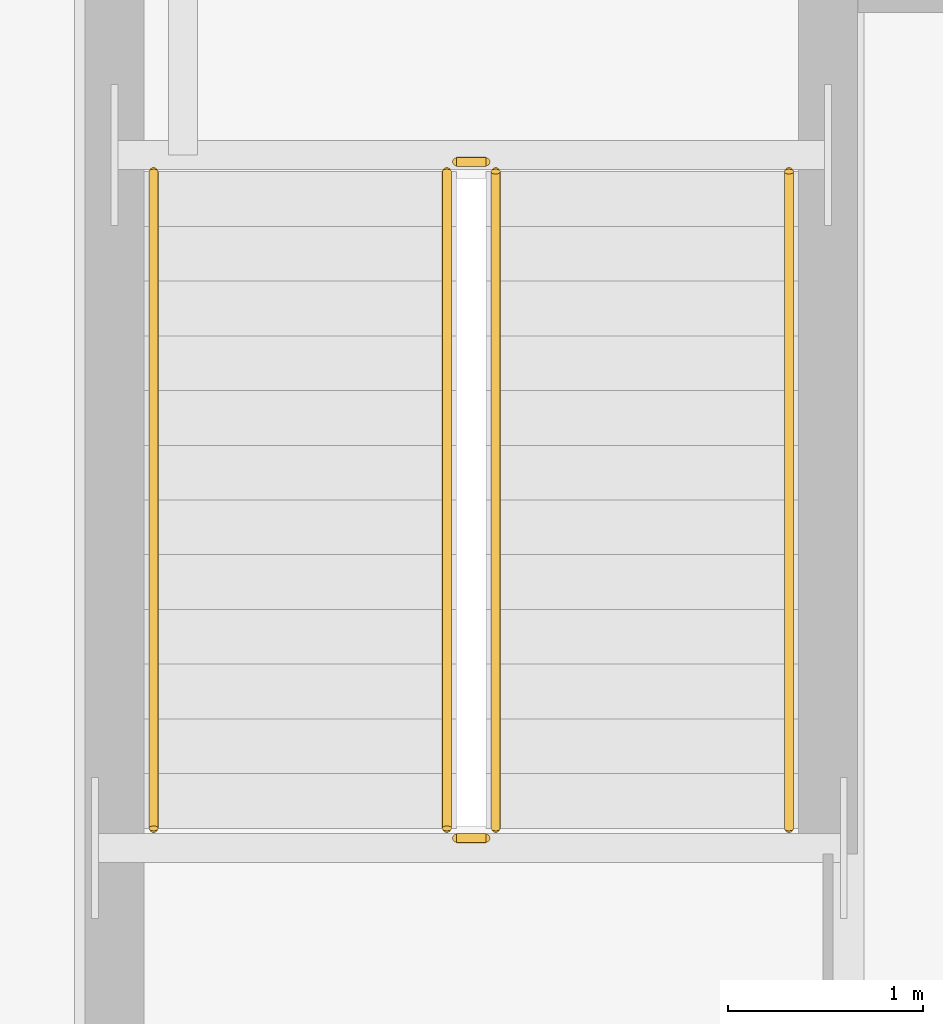
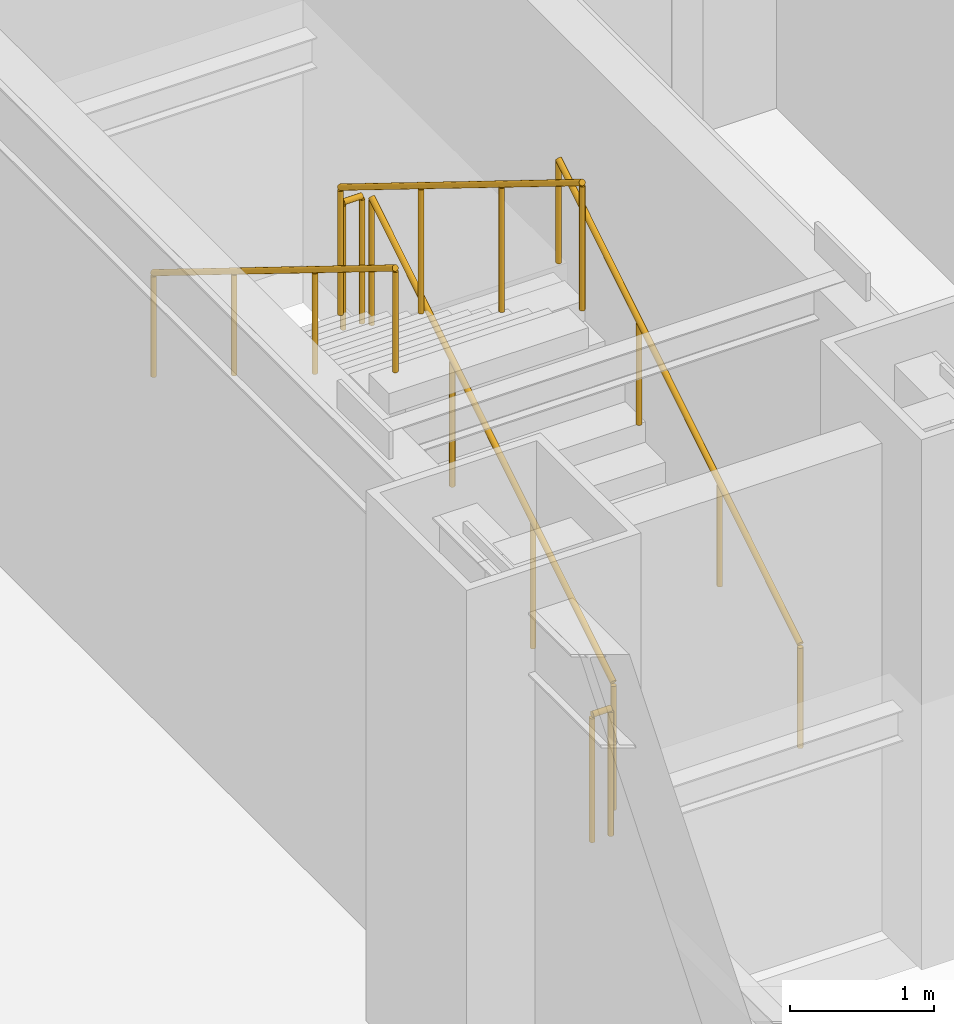
# One storey, part 14 of 14: 6 railings.
"""IFC4 building model written with IfcOpenShell, lengths in metres."""

from ifc_helpers import new_model, si_unit, direction, frame, origin, origin_2d, place, context, subcontext, project, spatial, circle, extrude, material, type_object, element, save


model = new_model("IFC4")

# Units and contexts
model_context = context("Model", 3, precision=1e-05, world=origin(), true_north=direction((0.0, 1.0)))
body_context = subcontext(model_context, "Body", "Model", "MODEL_VIEW")
ifc_project = project(units=[si_unit("LENGTHUNIT", "METRE"), si_unit("AREAUNIT", "SQUARE_METRE"), si_unit("VOLUMEUNIT", "CUBIC_METRE"), si_unit("PLANEANGLEUNIT", "RADIAN"), si_unit("MASSUNIT", "GRAM", prefix="KILO")], contexts=[model_context])

# Site, building, storey
site_placement = place(None, origin())
site = spatial("IfcSite", under=ifc_project, at=site_placement, CompositionType="ELEMENT")
building_placement = place(site_placement, origin())
building = spatial("IfcBuilding", under=site, at=building_placement, Name="Khamvora Tower", CompositionType="ELEMENT")
storey_placement = place(building_placement, frame((0.0, 0.0, -4.5)))
storey = spatial("IfcBuildingStorey", under=building, at=storey_placement, Name="B1", CompositionType="ELEMENT", Elevation=-4.5)

# Railings
ifc_material_1 = material(Name="Brushed Stainless Steel 316", Category="steel")
railing_type_1 = type_object("IfcRailingType", Name="RAL-HDR-920", PredefinedType="HANDRAIL", material=ifc_material_1)
railing_1_placement = place(storey_placement, frame((32.449951171875, 29.85009765625, 0.173095703125)))
element("IfcRailing", 1, at=railing_1_placement, inside=storey, type_object=railing_type_1, Name="B1 ST-02 stair handrail 1", PredefinedType="HANDRAIL", context=body_context, shape_type="SweptSolid", body=[
    extrude(circle(Radius=0.02392578125, at=origin_2d()), frame((0.0, 0.0, 0.8759765625), z_axis=(0.0, 0.850606129759, 0.525803396734), x_axis=(-1.0, 0.0, 0.0)), (0.0, 0.0, 1.0), 3.949951171875),
    extrude(circle(Radius=0.02099609375, at=origin_2d()), origin(), (0.0, 0.0, 1.0), 0.851806640625),
    extrude(circle(Radius=0.02099609375, at=origin_2d()), frame((0.0, 1.119873046875, 0.6923828125)), (0.0, 0.0, 1.0), 0.851806640625),
    extrude(circle(Radius=0.02099609375, at=origin_2d()), frame((0.0, 2.239990234375, 1.384521484375)), (0.0, 0.0, 1.0), 0.851806640625),
    extrude(circle(Radius=0.02099609375, at=origin_2d()), frame((0.0, 3.35986328125, 2.076904296875)), (0.0, 0.0, 1.0), 0.851806640625),
])
railing_2_placement = place(storey_placement, frame((29.199951171875, 33.2099609375, 2.423095703125)))
element("IfcRailing", 2, at=railing_2_placement, inside=storey, type_object=railing_type_1, Name="B1 ST-02 stair handrail 2", PredefinedType="HANDRAIL", context=body_context, shape_type="SweptSolid", body=[
    extrude(circle(Radius=0.02392578125, at=origin_2d()), frame((0.0, 0.0, 0.8759765625), z_axis=(0.0, -0.850606129759, 0.525803396734), x_axis=(1.0, 0.0, 0.0)), (0.0, 0.0, 1.0), 3.949951171875),
    extrude(circle(Radius=0.02099609375, at=origin_2d()), origin(), (0.0, 0.0, 1.0), 0.851806640625),
    extrude(circle(Radius=0.02099609375, at=origin_2d()), frame((0.0, -1.119873046875, 0.6923828125)), (0.0, 0.0, 1.0), 0.851806640625),
    extrude(circle(Radius=0.02099609375, at=origin_2d()), frame((0.0, -2.239990234375, 1.384521484375)), (0.0, 0.0, 1.0), 0.851806640625),
    extrude(circle(Radius=0.02099609375, at=origin_2d()), frame((0.0, -3.35986328125, 2.076904296875)), (0.0, 0.0, 1.0), 0.851806640625),
])
ifc_material_2 = material(Name="Stainless Steel 316", Category="steel")
railing_type_2 = type_object("IfcRailingType", Name="RAL-STG-1100", PredefinedType="GUARDRAIL", material=ifc_material_2)
railing_3_placement = place(storey_placement, frame((30.949951171875, 29.85009765625, 0.173095703125)))
element("IfcRailing", 3, at=railing_3_placement, inside=storey, type_object=railing_type_2, Name="B1 ST-02 stair guard 1", PredefinedType="GUARDRAIL", context=body_context, shape_type="SweptSolid", body=[
    extrude(circle(Radius=0.02392578125, at=origin_2d()), frame((0.0, 0.0, 1.076171875), z_axis=(0.0, 0.850606129759, 0.525803396734), x_axis=(-1.0, 0.0, 0.0)), (0.0, 0.0, 1.0), 3.949951171875),
    extrude(circle(Radius=0.02099609375, at=origin_2d()), origin(), (0.0, 0.0, 1.0), 1.052001953125),
    extrude(circle(Radius=0.02099609375, at=origin_2d()), frame((0.0, 1.119873046875, 0.6923828125)), (0.0, 0.0, 1.0), 1.052001953125),
    extrude(circle(Radius=0.02099609375, at=origin_2d()), frame((0.0, 2.239990234375, 1.384521484375)), (0.0, 0.0, 1.0), 1.052001953125),
    extrude(circle(Radius=0.02099609375, at=origin_2d()), frame((0.0, 3.35986328125, 2.076904296875)), (0.0, 0.0, 1.0), 1.052001953125),
])
railing_4_placement = place(storey_placement, frame((30.89990234375, 33.260009765625, 2.25)))
element("IfcRailing", 4, at=railing_4_placement, inside=storey, type_object=railing_type_2, Name="B1 ST-02 stair guard 2", PredefinedType="GUARDRAIL", context=body_context, shape_type="SweptSolid", body=[
    extrude(circle(Radius=0.02392578125, at=origin_2d()), frame((0.0, 0.0, 1.076171875), z_axis=(-1.0, 0.0, 0.0), x_axis=(0.0, -1.0, 0.0)), (0.0, 0.0, 1.0), 0.14990234375),
    extrude(circle(Radius=0.02099609375, at=origin_2d()), origin(), (0.0, 0.0, 1.0), 1.052001953125),
    extrude(circle(Radius=0.02099609375, at=origin_2d()), frame((-0.14990234375, 0.0, 0.0)), (0.0, 0.0, 1.0), 1.052001953125),
])
railing_5_placement = place(storey_placement, frame((30.699951171875, 33.2099609375, 2.423095703125)))
element("IfcRailing", 5, at=railing_5_placement, inside=storey, type_object=railing_type_2, Name="B1 ST-02 stair guard 3", PredefinedType="GUARDRAIL", context=body_context, shape_type="SweptSolid", body=[
    extrude(circle(Radius=0.02392578125, at=origin_2d()), frame((0.0, 0.0, 1.076171875), z_axis=(0.0, -0.850606129759, 0.525803396734), x_axis=(1.0, 0.0, 0.0)), (0.0, 0.0, 1.0), 3.949951171875),
    extrude(circle(Radius=0.02099609375, at=origin_2d()), origin(), (0.0, 0.0, 1.0), 1.052001953125),
    extrude(circle(Radius=0.02099609375, at=origin_2d()), frame((0.0, -1.119873046875, 0.6923828125)), (0.0, 0.0, 1.0), 1.052001953125),
    extrude(circle(Radius=0.02099609375, at=origin_2d()), frame((0.0, -2.239990234375, 1.384521484375)), (0.0, 0.0, 1.0), 1.052001953125),
    extrude(circle(Radius=0.02099609375, at=origin_2d()), frame((0.0, -3.35986328125, 2.076904296875)), (0.0, 0.0, 1.0), 1.052001953125),
])
railing_6_placement = place(storey_placement, frame((30.89990234375, 29.800048828125, 0.0)))
element("IfcRailing", 6, at=railing_6_placement, inside=storey, type_object=railing_type_2, Name="B1 ST-02 stair guard 4", PredefinedType="GUARDRAIL", context=body_context, shape_type="SweptSolid", body=[
    extrude(circle(Radius=0.02392578125, at=origin_2d()), frame((0.0, 0.0, 1.076171875), z_axis=(-1.0, 0.0, 0.0), x_axis=(0.0, -1.0, 0.0)), (0.0, 0.0, 1.0), 0.14990234375),
    extrude(circle(Radius=0.02099609375, at=origin_2d()), origin(), (0.0, 0.0, 1.0), 1.052001953125),
    extrude(circle(Radius=0.02099609375, at=origin_2d()), frame((-0.14990234375, 0.0, 0.0)), (0.0, 0.0, 1.0), 1.052001953125),
])

save(model, "model.ifc")
